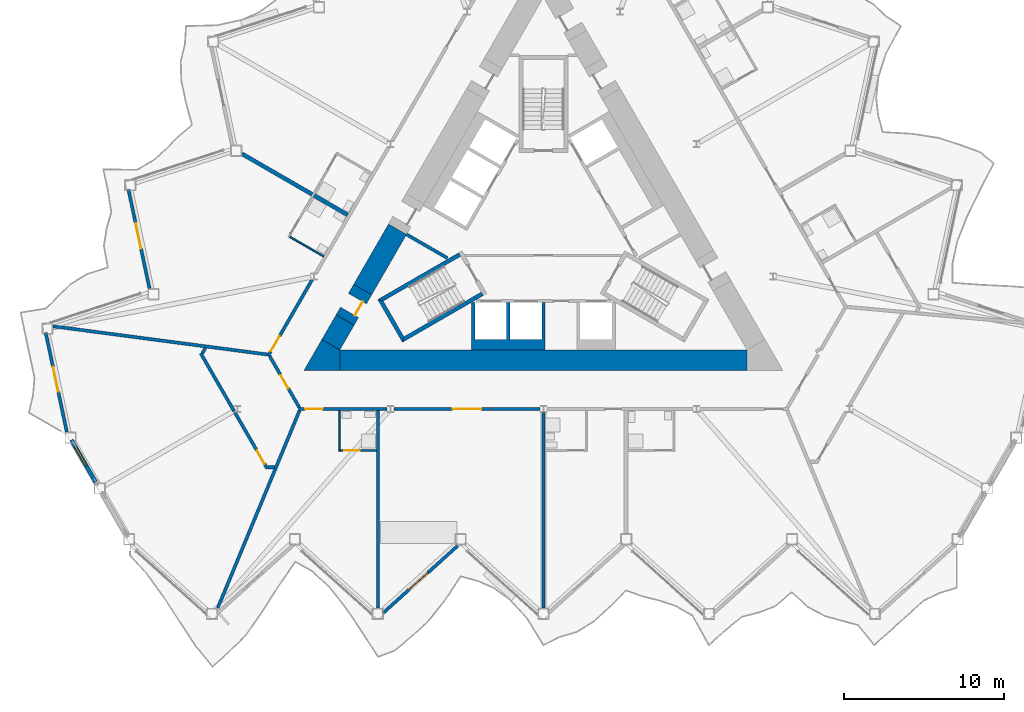
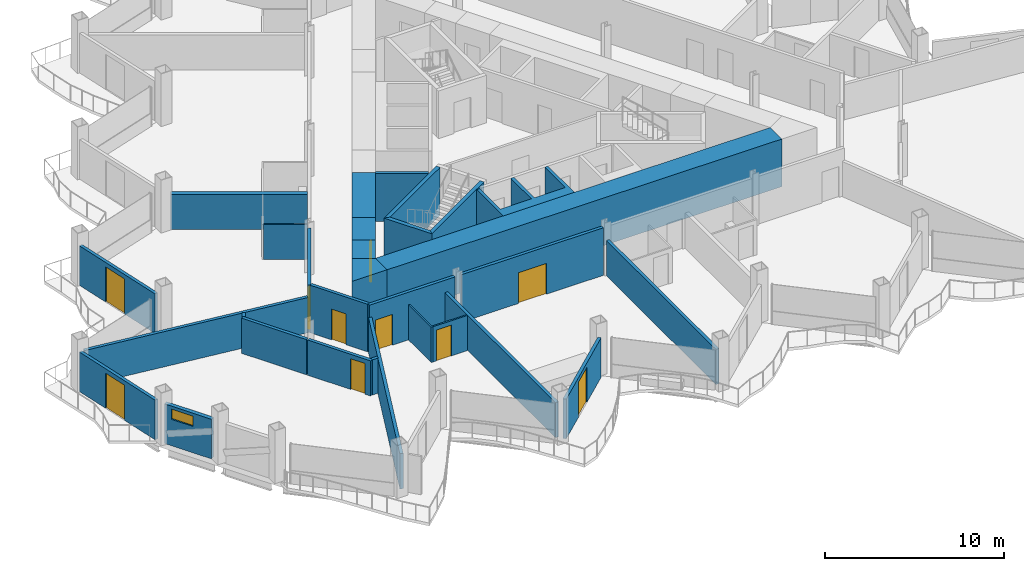
# One storey, part 11 of 23: 30 walls, 10 doors, 1 window, 11 openings.
"""IFC4 building model written with IfcOpenShell, lengths in metres."""

from ifc_helpers import new_model, si_unit, direction, frame, frame_2d, origin, place, context, subcontext, project, spatial, polyline, rectangle, outline, extrude, material, layer, layer_set, type_object, element, fill, save


model = new_model("IFC4")

# Units and contexts
model_context = context("Model", 3, precision=1e-05, world=origin(), true_north=direction((0.0, 1.0)))
body_context = subcontext(model_context, "Body", "Model", "MODEL_VIEW")
ifc_project = project(units=[si_unit("LENGTHUNIT", "METRE"), si_unit("AREAUNIT", "SQUARE_METRE"), si_unit("VOLUMEUNIT", "CUBIC_METRE"), si_unit("PLANEANGLEUNIT", "RADIAN"), si_unit("MASSUNIT", "GRAM", prefix="KILO")], contexts=[model_context])

# Site, building, storey
site_placement = place(None, origin())
site = spatial("IfcSite", under=ifc_project, at=site_placement, CompositionType="ELEMENT")
building_placement = place(site_placement, origin())
building = spatial("IfcBuilding", under=site, at=building_placement, Name="Cormorant Prow Tower", CompositionType="ELEMENT")
storey_placement = place(building_placement, frame((0.0, 0.0, 259.800048828125)))
storey = spatial("IfcBuildingStorey", under=building, at=storey_placement, Name="L58", CompositionType="ELEMENT", Elevation=259.800048828125)

# Walls
ifc_material_1 = material(Name="Concrete 8000 psi", Category="concrete")
ifc_layer_1 = layer(ifc_material_1, 1.300048828125)
ifc_layer_set_1 = layer_set([ifc_layer_1], Name="Concrete 8000 psi")
wall_type_1 = type_object("IfcWallType", Name="Core shear wall 1300", PredefinedType="SHEAR", material=ifc_layer_set_1)
wall_1_placement = place(storey_placement, frame((-12.748291015625, -8.01025390625, 0.0), z_axis=(0.0, 0.0, 1.0), x_axis=(1.0, 0.0, 0.0)))
element("IfcWall", 1, at=wall_1_placement, inside=storey, type_object=wall_type_1, Name="Core wall", PredefinedType="SHEAR", context=body_context, shape_type="SweptSolid", body=[
    extrude(rectangle(XDim=25.49658203125, YDim=1.300048828125, at=frame_2d((12.748291015625, 0.0))), origin(), (0.0, 0.0, 1.0), 3.25),
])
wall_2_placement = place(storey_placement, frame((-9.13720703125, 0.194580078125, 0.0), z_axis=(0.0, 0.0, 1.0), x_axis=(-0.499985697398, -0.866033661238, 0.0)))
element("IfcWall", 2, at=wall_2_placement, inside=storey, type_object=wall_type_1, Name="Core wall", PredefinedType="SHEAR", context=body_context, shape_type="SweptSolid", body=[
    extrude(rectangle(XDim=4.362060546875, YDim=1.300048828125, at=frame_2d((2.18115234375, 0.0))), origin(), (0.0, 0.0, 1.0), 3.25),
])
wall_3_placement = place(storey_placement, frame((-12.418212890625, -5.48828125, 0.0), z_axis=(0.0, 0.0, 1.0), x_axis=(-0.499931460552, -0.866064971437, 0.0)))
element("IfcWall", 3, at=wall_3_placement, inside=storey, type_object=wall_type_1, Name="Core wall", PredefinedType="SHEAR", context=body_context, shape_type="SweptSolid", body=[
    extrude(rectangle(XDim=1.786376953125, YDim=1.300048828125, at=frame_2d((0.89306640625, 0.0))), origin(), (0.0, 0.0, 1.0), 3.25),
])
wall_4_placement = place(storey_placement, origin())
element("IfcWall", 4, at=wall_4_placement, inside=storey, type_object=wall_type_1, Name="Core wall corner", PredefinedType="SHEAR", context=body_context, shape_type="SweptSolid", body=[
    extrude(outline(polyline([(-13.874267578125, -6.710205078125), (-12.748291015625, -7.3603515625), (-12.748291015625, -8.660400390625), (-15.0, -8.660400390625), (-13.874267578125, -6.710205078125)])), origin(), (0.0, 0.0, 1.0), 3.25),
])

# Wall, opening, door
wall_5_placement = place(storey_placement, frame((-11.318115234375, -3.5830078125, 0.0), z_axis=(0.0, 0.0, 1.0), x_axis=(-0.50002983664, -0.866008176907, 0.0)))
wall_5 = element("IfcWall", 5, at=wall_5_placement, inside=storey, type_object=wall_type_1, Name="Core wall door panel", PredefinedType="SHEAR", context=body_context, shape_type="SweptSolid", body=[
    extrude(rectangle(XDim=2.199951171875, YDim=1.300048828125, at=frame_2d((1.10009765625, 0.0))), origin(), (0.0, 0.0, 1.0), 3.25),
])
opening_1_placement = place(wall_5_placement, frame((0.64990234375, 0.0, 0.0)))
opening_1 = element("IfcOpeningElement", 6, at=opening_1_placement, cuts=wall_5, Name="Opening L58-C14", PredefinedType="OPENING", context=body_context, shape_type="SweptSolid", body=[
    extrude(rectangle(XDim=1.0, YDim=2.10009765625, at=frame_2d((0.5, 1.050048828125))), frame((0.0, 0.659912109375, 0.0), z_axis=(0.0, -1.0, 0.0), x_axis=(1.0, 0.0, 0.0)), (0.0, 0.0, 1.0), 1.320068359375),
])
ifc_material_2 = material(Name="Painted steel", Category="steel")
door_type_1 = type_object("IfcDoorType", Name="Service door 1000x2100", OperationType="NOTDEFINED", PredefinedType="DOOR", material=ifc_material_2)
door_1_placement = place(opening_1_placement, origin())
door_1 = element("IfcDoor", 7, at=door_1_placement, inside=storey, type_object=door_type_1, Name="Core door, Electrical room", OperationType="SINGLE_SWING_LEFT", OverallHeight=2.10009765625, OverallWidth=1.0, PredefinedType="DOOR", context=body_context, shape_type="SweptSolid", body=[
    extrude(rectangle(XDim=1.0, YDim=2.10009765625, at=frame_2d((0.5, 1.050048828125))), frame((0.0, 0.40478515625, 0.0), z_axis=(0.0, -1.0, 0.0), x_axis=(1.0, 0.0, 0.0)), (0.0, 0.0, 1.0), 0.050048828125),
])
fill(opening_1, door_1)

ifc_material_3 = material(Name="Gypsum board corridor wall")
ifc_layer_2 = layer(ifc_material_3, 0.199951171875)
ifc_layer_set_2 = layer_set([ifc_layer_2], Name="Gypsum board corridor wall")
wall_type_2 = type_object("IfcWallType", Name="Corridor wall 200", PredefinedType="PARTITIONING", material=ifc_layer_set_2)
wall_6_placement = place(storey_placement, frame((-9.368896484375, -11.060302734375, 0.0), z_axis=(0.0, 0.0, 1.0), x_axis=(1.0, 0.0, 0.0)))
wall_6 = element("IfcWall", 8, at=wall_6_placement, inside=storey, type_object=wall_type_2, Name="Corridor wall", PredefinedType="PARTITIONING", context=body_context, shape_type="SweptSolid", body=[
    extrude(rectangle(XDim=9.159423828125, YDim=0.199951171875, at=frame_2d((4.57958984375, 0.0))), origin(), (0.0, 0.0, 1.0), 3.25),
])
opening_2_placement = place(wall_6_placement, frame((3.6796875, 0.0, 0.0)))
opening_2 = element("IfcOpeningElement", 9, at=opening_2_placement, cuts=wall_6, Name="Opening L58-F03", PredefinedType="OPENING", context=body_context, shape_type="SweptSolid", body=[
    extrude(rectangle(XDim=1.800048828125, YDim=2.10009765625, at=frame_2d((0.89990234375, 1.050048828125))), frame((0.0, 0.10986328125, 0.0), z_axis=(0.0, -1.0, 0.0), x_axis=(1.0, 0.0, 0.0)), (0.0, 0.0, 1.0), 0.219970703125),
])
ifc_material_4 = material(Name="Timber door leaf", Category="wood")
door_type_2 = type_object("IfcDoorType", Name="Double door 1800x2100", OperationType="DOUBLE_DOOR_SINGLE_SWING", PredefinedType="DOOR", material=ifc_material_4)
door_2_placement = place(opening_2_placement, origin())
door_2 = element("IfcDoor", 10, at=door_2_placement, inside=storey, type_object=door_type_2, Name="Library door", OperationType="DOUBLE_DOOR_SINGLE_SWING", OverallHeight=2.10009765625, OverallWidth=1.800048828125, PredefinedType="DOOR", context=body_context, shape_type="SweptSolid", body=[
    extrude(rectangle(XDim=1.800048828125, YDim=2.10009765625, at=frame_2d((0.89990234375, 1.050048828125))), frame((0.0, 0.02490234375, 0.0), z_axis=(0.0, -1.0, 0.0), x_axis=(1.0, 0.0, 0.0)), (0.0, 0.0, 1.0), 0.050048828125),
])
fill(opening_2, door_2)

wall_7_placement = place(storey_placement, frame((-15.330810546875, -11.060302734375, 0.0), z_axis=(0.0, 0.0, 1.0), x_axis=(1.0, 0.0, 0.0)))
wall_7 = element("IfcWall", 11, at=wall_7_placement, inside=storey, type_object=wall_type_2, Name="Corridor wall", PredefinedType="PARTITIONING", context=body_context, shape_type="SweptSolid", body=[
    extrude(rectangle(XDim=5.542724609375, YDim=0.199951171875, at=frame_2d((2.771484375, 0.0))), origin(), (0.0, 0.0, 1.0), 3.25),
])
opening_3_placement = place(wall_7_placement, frame((0.403076171875, 0.0, 0.0)))
opening_3 = element("IfcOpeningElement", 12, at=opening_3_placement, cuts=wall_7, Name="Opening L58-F01", PredefinedType="OPENING", context=body_context, shape_type="SweptSolid", body=[
    extrude(rectangle(XDim=1.10009765625, YDim=2.10009765625, at=frame_2d((0.550048828125, 1.050048828125))), frame((0.0, 0.10986328125, 0.0), z_axis=(0.0, -1.0, 0.0), x_axis=(1.0, 0.0, 0.0)), (0.0, 0.0, 1.0), 0.219970703125),
])
ifc_material_5 = material(Name="Timber door leaf", Category="wood")
door_type_3 = type_object("IfcDoorType", Name="Suite entrance door 1100x2100", OperationType="NOTDEFINED", PredefinedType="DOOR", material=ifc_material_5)
door_3_placement = place(opening_3_placement, origin())
door_3 = element("IfcDoor", 13, at=door_3_placement, inside=storey, type_object=door_type_3, Name="Junior suite door", OperationType="SINGLE_SWING_LEFT", OverallHeight=2.10009765625, OverallWidth=1.10009765625, PredefinedType="DOOR", context=body_context, shape_type="SweptSolid", body=[
    extrude(rectangle(XDim=1.10009765625, YDim=2.10009765625, at=frame_2d((0.550048828125, 1.050048828125))), frame((0.0, 0.02490234375, 0.0), z_axis=(0.0, -1.0, 0.0), x_axis=(1.0, 0.0, 0.0)), (0.0, 0.0, 1.0), 0.050048828125),
])
fill(opening_3, door_3)

wall_8_placement = place(storey_placement, frame((-17.243896484375, -7.746826171875, 0.0), z_axis=(0.0, 0.0, 1.0), x_axis=(0.500017753321, 0.866015153657, 0.0)))
wall_8 = element("IfcWall", 14, at=wall_8_placement, inside=storey, type_object=wall_type_2, Name="Corridor wall", PredefinedType="PARTITIONING", context=body_context, shape_type="SweptSolid", body=[
    extrude(rectangle(XDim=5.510498046875, YDim=0.199951171875, at=frame_2d((2.75537109375, 0.0))), origin(), (0.0, 0.0, 1.0), 3.25),
])
opening_4_placement = place(wall_8_placement, frame((0.350341796875, 0.0, 0.0)))
opening_4 = element("IfcOpeningElement", 15, at=opening_4_placement, cuts=wall_8, Name="Opening L58-F23", PredefinedType="OPENING", context=body_context, shape_type="SweptSolid", body=[
    extrude(rectangle(XDim=1.10009765625, YDim=2.10009765625, at=frame_2d((0.550048828125, 1.050048828125))), frame((0.0, 0.10986328125, 0.0), z_axis=(0.0, -1.0, 0.0), x_axis=(1.0, 0.0, 0.0)), (0.0, 0.0, 1.0), 0.219970703125),
])
door_4_placement = place(opening_4_placement, origin())
door_4 = element("IfcDoor", 16, at=door_4_placement, inside=storey, type_object=door_type_3, Name="Executive suite bedroom door", OperationType="SINGLE_SWING_LEFT", OverallHeight=2.10009765625, OverallWidth=1.10009765625, PredefinedType="DOOR", context=body_context, shape_type="SweptSolid", body=[
    extrude(rectangle(XDim=1.10009765625, YDim=2.10009765625, at=frame_2d((0.550048828125, 1.050048828125))), frame((0.0, 0.02490234375, 0.0), z_axis=(0.0, -1.0, 0.0), x_axis=(1.0, 0.0, 0.0)), (0.0, 0.0, 1.0), 0.050048828125),
])
fill(opening_4, door_4)

wall_9_placement = place(storey_placement, frame((-17.143798828125, -7.746826171875, 0.0), z_axis=(0.0, 0.0, 1.0), x_axis=(0.499958791762, -0.866049194065, 0.0)))
wall_9 = element("IfcWall", 17, at=wall_9_placement, inside=storey, type_object=wall_type_2, Name="Corridor wall", PredefinedType="PARTITIONING", context=body_context, shape_type="SweptSolid", body=[
    extrude(rectangle(XDim=3.725830078125, YDim=0.199951171875, at=frame_2d((1.86279296875, 0.0))), origin(), (0.0, 0.0, 1.0), 3.25),
])
opening_5_placement = place(wall_9_placement, frame((1.387939453125, 0.0, 0.0)))
opening_5 = element("IfcOpeningElement", 18, at=opening_5_placement, cuts=wall_9, Name="Opening L58-F25", PredefinedType="OPENING", context=body_context, shape_type="SweptSolid", body=[
    extrude(rectangle(XDim=0.949951171875, YDim=2.10009765625, at=frame_2d((0.47509765625, 1.050048828125))), frame((0.0, 0.10986328125, 0.0), z_axis=(0.0, -1.0, 0.0), x_axis=(1.0, 0.0, 0.0)), (0.0, 0.0, 1.0), 0.219970703125),
])
ifc_material_6 = material(Name="Timber door leaf", Category="wood")
door_type_4 = type_object("IfcDoorType", Name="Store door 950x2100", OperationType="NOTDEFINED", PredefinedType="DOOR", material=ifc_material_6)
door_5_placement = place(opening_5_placement, origin())
door_5 = element("IfcDoor", 19, at=door_5_placement, inside=storey, type_object=door_type_4, Name="Guest pantry door", OperationType="SINGLE_SWING_LEFT", OverallHeight=2.10009765625, OverallWidth=0.949951171875, PredefinedType="DOOR", context=body_context, shape_type="SweptSolid", body=[
    extrude(rectangle(XDim=0.949951171875, YDim=2.10009765625, at=frame_2d((0.47509765625, 1.050048828125))), frame((0.0, 0.02490234375, 0.0), z_axis=(0.0, -1.0, 0.0), x_axis=(1.0, 0.0, 0.0)), (0.0, 0.0, 1.0), 0.050048828125),
])
fill(opening_5, door_5)

# Walls
ifc_material_7 = material(Name="Gypsum board demising wall")
ifc_layer_3 = layer(ifc_material_7, 0.199951171875)
ifc_layer_set_3 = layer_set([ifc_layer_3], Name="Gypsum board demising wall")
wall_type_3 = type_object("IfcWallType", Name="Demising wall 200", PredefinedType="PARTITIONING", material=ifc_layer_set_3)
wall_10_placement = place(storey_placement, frame((-30.703125, -5.8818359375, 0.0), z_axis=(0.0, 0.0, 1.0), x_axis=(0.991445815272, -0.130518946443, 0.0)))
element("IfcWall", 20, at=wall_10_placement, inside=storey, type_object=wall_type_3, Name="Demising wall", PredefinedType="PARTITIONING", context=body_context, shape_type="SweptSolid", body=[
    extrude(rectangle(XDim=13.52587890625, YDim=0.199951171875, at=frame_2d((6.762939453125, 0.0))), origin(), (0.0, 0.0, 1.0), 2.404052734375),
])
wall_11_placement = place(storey_placement, frame((-20.39599609375, -23.52978515625, 0.0), z_axis=(0.0, 0.0, 1.0), x_axis=(0.382692998932, 0.923875569851, 0.0)))
element("IfcWall", 21, at=wall_11_placement, inside=storey, type_object=wall_type_3, Name="Demising wall", PredefinedType="PARTITIONING", context=body_context, shape_type="SweptSolid", body=[
    extrude(rectangle(XDim=13.39697265625, YDim=0.199951171875, at=frame_2d((6.698486328125, 0.0))), origin(), (0.0, 0.0, 1.0), 2.404052734375),
])
wall_12_placement = place(storey_placement, frame((-10.35888671875, -23.52685546875, 0.0), z_axis=(0.0, 0.0, 1.0), x_axis=(0.0, 1.0, 0.0)))
element("IfcWall", 22, at=wall_12_placement, inside=storey, type_object=wall_type_3, Name="Demising wall", PredefinedType="PARTITIONING", context=body_context, shape_type="SweptSolid", body=[
    extrude(rectangle(XDim=12.366455078125, YDim=0.199951171875, at=frame_2d((6.18310546875, 0.0))), origin(), (0.0, 0.0, 1.0), 2.404052734375),
])
wall_13_placement = place(storey_placement, frame((0.0, -23.52685546875, 0.0), z_axis=(0.0, 0.0, 1.0), x_axis=(0.0, 1.0, 0.0)))
element("IfcWall", 23, at=wall_13_placement, inside=storey, type_object=wall_type_3, Name="Demising wall", PredefinedType="PARTITIONING", context=body_context, shape_type="SweptSolid", body=[
    extrude(rectangle(XDim=12.257080078125, YDim=0.199951171875, at=frame_2d((6.12841796875, 0.0))), origin(), (0.0, 0.0, 1.0), 2.404052734375),
])
wall_14_placement = place(storey_placement, frame((-21.45849609375, -7.57373046875, 0.0), z_axis=(0.0, 0.0, 1.0), x_axis=(0.499973304129, -0.866040816104, 0.0)))
element("IfcWall", 24, at=wall_14_placement, inside=storey, type_object=wall_type_3, Name="Demising wall", PredefinedType="PARTITIONING", context=body_context, shape_type="SweptSolid", body=[
    extrude(rectangle(XDim=4.184326171875, YDim=0.199951171875, at=frame_2d((2.09228515625, 0.0))), origin(), (0.0, 0.0, 1.0), 2.404052734375),
])

# Wall, opening, door
wall_15_placement = place(storey_placement, frame((-19.32470703125, -11.269775390625, 0.0), z_axis=(0.0, 0.0, 1.0), x_axis=(0.500000928893, -0.866024867487, 0.0)))
wall_15 = element("IfcWall", 25, at=wall_15_placement, inside=storey, type_object=wall_type_3, Name="Demising wall", PredefinedType="PARTITIONING", context=body_context, shape_type="SweptSolid", body=[
    extrude(rectangle(XDim=4.07275390625, YDim=0.199951171875, at=frame_2d((2.036376953125, 0.0))), origin(), (0.0, 0.0, 1.0), 2.404052734375),
])
opening_6_placement = place(wall_15_placement, frame((2.77197265625, 0.0, 0.0)))
opening_6 = element("IfcOpeningElement", 26, at=opening_6_placement, cuts=wall_15, Name="Opening L58-F26", PredefinedType="OPENING", context=body_context, shape_type="SweptSolid", body=[
    extrude(rectangle(XDim=0.949951171875, YDim=2.10009765625, at=frame_2d((0.47509765625, 1.050048828125))), frame((0.0, 0.10986328125, 0.0), z_axis=(0.0, -1.0, 0.0), x_axis=(1.0, 0.0, 0.0)), (0.0, 0.0, 1.0), 0.219970703125),
])
door_6_placement = place(opening_6_placement, origin())
door_6 = element("IfcDoor", 27, at=door_6_placement, inside=storey, type_object=door_type_4, Name="Luggage store door", OperationType="SINGLE_SWING_RIGHT", OverallHeight=2.10009765625, OverallWidth=0.949951171875, PredefinedType="DOOR", context=body_context, shape_type="SweptSolid", body=[
    extrude(rectangle(XDim=0.949951171875, YDim=2.10009765625, at=frame_2d((0.47509765625, 1.050048828125))), frame((0.0, 0.02490234375, 0.0), z_axis=(0.0, -1.0, 0.0), x_axis=(1.0, 0.0, 0.0)), (0.0, 0.0, 1.0), 0.050048828125),
])
fill(opening_6, door_6)

# Walls
for number, where, z_axis, x_axis, name in (
    (28, (-17.23828125, -14.710205078125, 0.0), (0.0, 0.0, 1.0), (1.0, 0.0, 0.0), "Demising wall"),
    (29, (-21.358642578125, -7.57373046875, 0.0), (0.0, 0.0, 1.0), (0.499989616998, 0.866031398331, 0.0), "Demising wall"),
):
    element("IfcWall", number, at=place(storey_placement, frame(where, z_axis=z_axis, x_axis=x_axis)), inside=storey, type_object=wall_type_3, Name=name, PredefinedType="PARTITIONING", context=body_context, shape_type="SweptSolid", body=[
        extrude(rectangle(XDim=0.3955078125, YDim=0.199951171875, at=frame_2d((0.19775390625, 0.0))), origin(), (0.0, 0.0, 1.0), 2.404052734375),
    ])
ifc_material_8 = material(Name="Gypsum board partition")
ifc_layer_4 = layer(ifc_material_8, 0.10009765625)
ifc_layer_set_4 = layer_set([ifc_layer_4], Name="Gypsum board partition")
wall_type_4 = type_object("IfcWallType", Name="Internal partition 100", PredefinedType="PARTITIONING", material=ifc_layer_set_4)
wall_16_placement = place(storey_placement, frame((-12.759033203125, -13.710205078125, 0.0), z_axis=(0.0, 0.0, 1.0), x_axis=(0.0, 1.0, 0.0)))
element("IfcWall", 30, at=wall_16_placement, inside=storey, type_object=wall_type_4, Name="Internal partition", PredefinedType="PARTITIONING", context=body_context, shape_type="SweptSolid", body=[
    extrude(rectangle(XDim=2.5498046875, YDim=0.10009765625, at=frame_2d((1.27490234375, 0.0))), origin(), (0.0, 0.0, 1.0), 2.404052734375),
])
wall_17_placement = place(storey_placement, frame((-15.876708984375, -0.278564453125, 0.0), z_axis=(0.0, 0.0, 1.0), x_axis=(0.866057815567, -0.499943856944, 0.0)))
element("IfcWall", 31, at=wall_17_placement, inside=storey, type_object=wall_type_4, Name="Internal partition", PredefinedType="PARTITIONING", context=body_context, shape_type="SweptSolid", body=[
    extrude(rectangle(XDim=2.449951171875, YDim=0.10009765625, at=frame_2d((1.22509765625, 0.0))), origin(), (0.0, 0.0, 1.0), 2.404052734375),
])

# Wall, opening, door
wall_18_placement = place(storey_placement, frame((-12.708984375, -13.660400390625, 0.0), z_axis=(0.0, 0.0, 1.0), x_axis=(1.0, 0.0, 0.0)))
wall_18 = element("IfcWall", 32, at=wall_18_placement, inside=storey, type_object=wall_type_4, Name="Internal partition", PredefinedType="PARTITIONING", context=body_context, shape_type="SweptSolid", body=[
    extrude(rectangle(XDim=2.25, YDim=0.10009765625, at=frame_2d((1.125, 0.0))), origin(), (0.0, 0.0, 1.0), 2.404052734375),
])
opening_7_placement = place(wall_18_placement, frame((0.25, 0.0, 0.0)))
opening_7 = element("IfcOpeningElement", 33, at=opening_7_placement, cuts=wall_18, Name="Opening L58-F02", PredefinedType="OPENING", context=body_context, shape_type="SweptSolid", body=[
    extrude(rectangle(XDim=0.949951171875, YDim=2.10009765625, at=frame_2d((0.47509765625, 1.050048828125))), frame((0.0, 0.06005859375, 0.0), z_axis=(0.0, -1.0, 0.0), x_axis=(1.0, 0.0, 0.0)), (0.0, 0.0, 1.0), 0.1201171875),
])
ifc_material_9 = material(Name="Timber door leaf", Category="wood")
door_type_5 = type_object("IfcDoorType", Name="Bathroom door 950x2100", OperationType="NOTDEFINED", PredefinedType="DOOR", material=ifc_material_9)
door_7_placement = place(opening_7_placement, origin())
door_7 = element("IfcDoor", 34, at=door_7_placement, inside=storey, type_object=door_type_5, Name="Junior suite door", OperationType="SINGLE_SWING_LEFT", OverallHeight=2.10009765625, OverallWidth=0.949951171875, PredefinedType="DOOR", context=body_context, shape_type="SweptSolid", body=[
    extrude(rectangle(XDim=0.949951171875, YDim=2.10009765625, at=frame_2d((0.47509765625, 1.050048828125))), frame((0.0, 0.02490234375, 0.0), z_axis=(0.0, -1.0, 0.0), x_axis=(1.0, 0.0, 0.0)), (0.0, 0.0, 1.0), 0.050048828125),
])
fill(opening_7, door_7)

# Walls
ifc_material_10 = material(Name="Concrete 8000 psi", Category="concrete")
ifc_layer_5 = layer(ifc_material_10, 0.199951171875)
ifc_layer_set_5 = layer_set([ifc_layer_5], Name="Concrete 8000 psi")
wall_type_5 = type_object("IfcWallType", Name="Lift shaft wall 200", PredefinedType="SHEAR", material=ifc_layer_set_5)
wall_19_placement = place(storey_placement, origin())
element("IfcWall", 35, at=wall_19_placement, inside=storey, type_object=wall_type_5, Name="Lift shaft walls, S block", PredefinedType="SHEAR", context=body_context, shape_type="SweptSolid", body=[
    extrude(outline(polyline([(0.10009765625, -7.3603515625), (-4.5, -7.3603515625), (-4.5, -4.39990234375), (-4.300048828125, -4.39990234375), (-4.300048828125, -6.699951171875), (-2.300048828125, -6.699951171875), (-2.300048828125, -4.39990234375), (-2.10009765625, -4.39990234375), (-2.10009765625, -6.699951171875), (-0.10009765625, -6.699951171875), (-0.10009765625, -4.39990234375), (0.10009765625, -4.39990234375), (0.10009765625, -7.3603515625)])), origin(), (0.0, 0.0, 1.0), 3.25),
])
wall_20_placement = place(storey_placement, origin())
element("IfcWall", 36, at=wall_20_placement, inside=storey, type_object=wall_type_5, Name="Lift shaft walls, WNW block", PredefinedType="SHEAR", context=body_context, shape_type="SweptSolid", body=[
    extrude(outline(polyline([(-8.524169921875, -0.043701171875), (-8.130859375, -0.27099609375), (-5.96044921875, -1.52392578125), (-6.060546875, -1.697021484375), (-8.230712890625, -0.444091796875), (-8.624267578125, -0.217041015625), (-8.524169921875, -0.043701171875)])), origin(), (0.0, 0.0, 1.0), 3.25),
])
ifc_material_11 = material(Name="Concrete 8000 psi", Category="concrete")
ifc_layer_6 = layer(ifc_material_11, 0.25)
ifc_layer_set_6 = layer_set([ifc_layer_6], Name="Concrete 8000 psi")
wall_type_6 = type_object("IfcWallType", Name="Stair wall 250", PredefinedType="SHEAR", material=ifc_layer_set_6)
wall_21_placement = place(storey_placement, origin())
element("IfcWall", 37, at=wall_21_placement, inside=storey, type_object=wall_type_6, Name="Stair ST1 enclosure wall (flank)", PredefinedType="SHEAR", context=body_context, shape_type="SweptSolid", body=[
    extrude(outline(polyline([(-5.30712890625, -1.28125), (-10.37353515625, -4.206298828125), (-10.031982421875, -4.2978515625), (-5.18212890625, -1.497802734375), (-5.30712890625, -1.28125)])), origin(), (0.0, 0.0, 1.0), 3.25),
])
wall_22_placement = place(storey_placement, origin())
element("IfcWall", 38, at=wall_22_placement, inside=storey, type_object=wall_type_6, Name="Stair ST1 enclosure wall (end)", PredefinedType="SHEAR", context=body_context, shape_type="SweptSolid", body=[
    extrude(outline(polyline([(-10.37353515625, -4.206298828125), (-8.82958984375, -6.880615234375), (-8.738037109375, -6.5390625), (-10.031982421875, -4.2978515625), (-10.37353515625, -4.206298828125)])), origin(), (0.0, 0.0, 1.0), 3.25),
])
wall_23_placement = place(storey_placement, origin())
element("IfcWall", 39, at=wall_23_placement, inside=storey, type_object=wall_type_6, Name="Stair ST1 enclosure wall (flank)", PredefinedType="SHEAR", context=body_context, shape_type="SweptSolid", body=[
    extrude(outline(polyline([(-8.738037109375, -6.5390625), (-8.82958984375, -6.880615234375), (-3.76318359375, -3.95556640625), (-3.88818359375, -3.739013671875), (-8.738037109375, -6.5390625)])), origin(), (0.0, 0.0, 1.0), 3.25),
])
ifc_material_12 = material(Name="Acoustic gypsum party wall")
ifc_layer_7 = layer(ifc_material_12, 0.25)
ifc_layer_set_7 = layer_set([ifc_layer_7], Name="Acoustic gypsum party wall")
wall_type_7 = type_object("IfcWallType", Name="Suite party wall 250", PredefinedType="PARTITIONING", material=ifc_layer_set_7)
wall_24_placement = place(storey_placement, frame((-18.875, 4.916748046875, 0.0), z_axis=(0.0, 0.0, 1.0), x_axis=(0.866017519557, -0.500013655634, 0.0)))
element("IfcWall", 40, at=wall_24_placement, inside=storey, type_object=wall_type_7, Name="Suite party wall", PredefinedType="PARTITIONING", context=body_context, shape_type="SweptSolid", body=[
    extrude(rectangle(XDim=7.644287109375, YDim=0.25, at=frame_2d((3.822265625, 0.0))), origin(), (0.0, 0.0, 1.0), 2.404052734375),
])

# Wall, opening, window
ifc_material_13 = material(Name="Terracotta", Category="masonry")
ifc_layer_8 = layer(ifc_material_13, 0.25)
ifc_layer_set_8 = layer_set([ifc_layer_8], Name="Terracotta")
wall_type_8 = type_object("IfcWallType", Name="Terracotta bay wall 250", PredefinedType="SOLIDWALL", material=ifc_layer_set_8)
wall_25_placement = place(storey_placement, frame((-29.55859375, -13.00244140625, 0.0), z_axis=(0.0, 0.0, 1.0), x_axis=(0.500023511883, -0.866011828767, 0.0)))
wall_25 = element("IfcWall", 41, at=wall_25_placement, inside=storey, type_object=wall_type_8, Name="Terracotta bay wall WSW00", PredefinedType="SOLIDWALL", context=body_context, shape_type="SweptSolid", body=[
    extrude(rectangle(XDim=3.041748046875, YDim=0.25, at=frame_2d((1.52099609375, 0.0))), origin(), (0.0, 0.0, 1.0), 2.700927734375),
])
opening_8_placement = place(wall_25_placement, frame((0.449951171875, 0.0, 1.800048828125)))
opening_8 = element("IfcOpeningElement", 42, at=opening_8_placement, cuts=wall_25, Name="Opening WN4", PredefinedType="OPENING", context=body_context, shape_type="SweptSolid", body=[
    extrude(rectangle(XDim=1.39990234375, YDim=0.699951171875, at=frame_2d((0.699951171875, 0.35009765625))), frame((0.0, 0.135009765625, 0.0), z_axis=(0.0, -1.0, 0.0), x_axis=(1.0, 0.0, 0.0)), (0.0, 0.0, 1.0), 0.27001953125),
])
ifc_material_14 = material(Name="Aluminium 6063-T6", Category="aluminium")
window_type = type_object("IfcWindowType", Name="Corner bay window 1400x700", PartitioningType="SINGLE_PANEL", PredefinedType="WINDOW", material=ifc_material_14)
window_placement = place(opening_8_placement, origin())
window = element("IfcWindow", 43, at=window_placement, inside=storey, type_object=window_type, Name="Corner bay window WSW00", OverallHeight=0.699951171875, OverallWidth=1.39990234375, PartitioningType="SINGLE_PANEL", PredefinedType="WINDOW", context=body_context, shape_type="SweptSolid", body=[
    extrude(rectangle(XDim=1.39990234375, YDim=0.699951171875, at=frame_2d((0.699951171875, 0.35009765625))), frame((0.0, 0.030029296875, 0.0), z_axis=(0.0, -1.0, 0.0), x_axis=(1.0, 0.0, 0.0)), (0.0, 0.0, 1.0), 0.06005859375),
])
fill(opening_8, window)

# Wall, opening, door
ifc_material_15 = material(Name="Terracotta", Category="masonry")
ifc_layer_9 = layer(ifc_material_15, 0.199951171875)
ifc_layer_set_9 = layer_set([ifc_layer_9], Name="Terracotta")
wall_type_9 = type_object("IfcWallType", Name="Terracotta jamb wall 200", PredefinedType="SOLIDWALL", material=ifc_layer_set_9)
wall_26_placement = place(storey_placement, frame((-10.0537109375, -23.84765625, 0.0), z_axis=(0.0, 0.0, 1.0), x_axis=(0.74314024121, 0.669135697668, 0.0)))
wall_26 = element("IfcWall", 44, at=wall_26_placement, inside=storey, type_object=wall_type_9, Name="Terracotta jamb wall S03", PredefinedType="SOLIDWALL", context=body_context, shape_type="SweptSolid", body=[
    extrude(rectangle(XDim=6.31103515625, YDim=0.199951171875, at=frame_2d((3.155517578125, 0.0))), origin(), (0.0, 0.0, 1.0), 2.700927734375),
])
opening_9_placement = place(wall_26_placement, frame((2.183837890625, 0.0, 0.0)))
opening_9 = element("IfcOpeningElement", 45, at=opening_9_placement, cuts=wall_26, Name="Opening ED58.02", PredefinedType="OPENING", context=body_context, shape_type="SweptSolid", body=[
    extrude(rectangle(XDim=1.60009765625, YDim=2.39990234375, at=frame_2d((0.800048828125, 1.199951171875))), frame((0.0, 0.10986328125, 0.0), z_axis=(0.0, -1.0, 0.0), x_axis=(1.0, 0.0, 0.0)), (0.0, 0.0, 1.0), 0.219970703125),
])
ifc_material_16 = material(Name="Aluminium 6063-T6", Category="aluminium")
door_type_6 = type_object("IfcDoorType", Name="Balcony door 1600x2400", OperationType="DOUBLE_DOOR_SINGLE_SWING", PredefinedType="DOOR", material=ifc_material_16)
door_8_placement = place(opening_9_placement, origin())
door_8 = element("IfcDoor", 46, at=door_8_placement, inside=storey, type_object=door_type_6, Name="Balcony door S03 ED58.02", OperationType="DOUBLE_DOOR_SINGLE_SWING", OverallHeight=2.39990234375, OverallWidth=1.60009765625, PredefinedType="DOOR", context=body_context, shape_type="SweptSolid", body=[
    extrude(rectangle(XDim=1.60009765625, YDim=2.39990234375, at=frame_2d((0.800048828125, 1.199951171875))), frame((0.0, 0.02490234375, 0.0), z_axis=(0.0, -1.0, 0.0), x_axis=(1.0, 0.0, 0.0)), (0.0, 0.0, 1.0), 0.050048828125),
])
fill(opening_9, door_8)

wall_27_placement = place(storey_placement, frame((-25.98486328125, 2.688232421875, 0.0), z_axis=(0.0, 0.0, 1.0), x_axis=(0.207906715746, -0.978148658205, 0.0)))
wall_27 = element("IfcWall", 47, at=wall_27_placement, inside=storey, type_object=wall_type_9, Name="Terracotta jamb wall WNW07", PredefinedType="SOLIDWALL", context=body_context, shape_type="SweptSolid", body=[
    extrude(rectangle(XDim=6.331787109375, YDim=0.199951171875, at=frame_2d((3.166015625, 0.0))), origin(), (0.0, 0.0, 1.0), 2.700927734375),
])
opening_10_placement = place(wall_27_placement, frame((2.183837890625, 0.0, 0.0)))
opening_10 = element("IfcOpeningElement", 48, at=opening_10_placement, cuts=wall_27, Name="Opening ED58.14", PredefinedType="OPENING", context=body_context, shape_type="SweptSolid", body=[
    extrude(rectangle(XDim=1.60009765625, YDim=2.39990234375, at=frame_2d((0.800048828125, 1.199951171875))), frame((0.0, 0.10986328125, 0.0), z_axis=(0.0, -1.0, 0.0), x_axis=(1.0, 0.0, 0.0)), (0.0, 0.0, 1.0), 0.219970703125),
])
door_9_placement = place(opening_10_placement, origin())
door_9 = element("IfcDoor", 49, at=door_9_placement, inside=storey, type_object=door_type_6, Name="Balcony door WNW07 ED58.14", OperationType="DOUBLE_DOOR_SINGLE_SWING", OverallHeight=2.39990234375, OverallWidth=1.60009765625, PredefinedType="DOOR", context=body_context, shape_type="SweptSolid", body=[
    extrude(rectangle(XDim=1.60009765625, YDim=2.39990234375, at=frame_2d((0.800048828125, 1.199951171875))), frame((0.0, 0.02490234375, 0.0), z_axis=(0.0, -1.0, 0.0), x_axis=(1.0, 0.0, 0.0)), (0.0, 0.0, 1.0), 0.050048828125),
])
fill(opening_10, door_9)

wall_28_placement = place(storey_placement, frame((-31.164306640625, -6.282958984375, 0.0), z_axis=(0.0, 0.0, 1.0), x_axis=(0.207900158502, -0.978150051932, 0.0)))
wall_28 = element("IfcWall", 50, at=wall_28_placement, inside=storey, type_object=wall_type_9, Name="Terracotta jamb wall WNW09", PredefinedType="SOLIDWALL", context=body_context, shape_type="SweptSolid", body=[
    extrude(rectangle(XDim=6.34716796875, YDim=0.199951171875, at=frame_2d((3.173583984375, 0.0))), origin(), (0.0, 0.0, 1.0), 2.700927734375),
])
opening_11_placement = place(wall_28_placement, frame((2.183837890625, 0.0, 0.0)))
opening_11 = element("IfcOpeningElement", 51, at=opening_11_placement, cuts=wall_28, Name="Opening ED58.15", PredefinedType="OPENING", context=body_context, shape_type="SweptSolid", body=[
    extrude(rectangle(XDim=1.60009765625, YDim=2.39990234375, at=frame_2d((0.800048828125, 1.199951171875))), frame((0.0, 0.10986328125, 0.0), z_axis=(0.0, -1.0, 0.0), x_axis=(1.0, 0.0, 0.0)), (0.0, 0.0, 1.0), 0.219970703125),
])
door_10_placement = place(opening_11_placement, origin())
door_10 = element("IfcDoor", 52, at=door_10_placement, inside=storey, type_object=door_type_6, Name="Balcony door WNW09 ED58.15", OperationType="DOUBLE_DOOR_SINGLE_SWING", OverallHeight=2.39990234375, OverallWidth=1.60009765625, PredefinedType="DOOR", context=body_context, shape_type="SweptSolid", body=[
    extrude(rectangle(XDim=1.60009765625, YDim=2.39990234375, at=frame_2d((0.800048828125, 1.199951171875))), frame((0.0, 0.02490234375, 0.0), z_axis=(0.0, -1.0, 0.0), x_axis=(1.0, 0.0, 0.0)), (0.0, 0.0, 1.0), 0.050048828125),
])
fill(opening_11, door_10)

save(model, "model.ifc")
